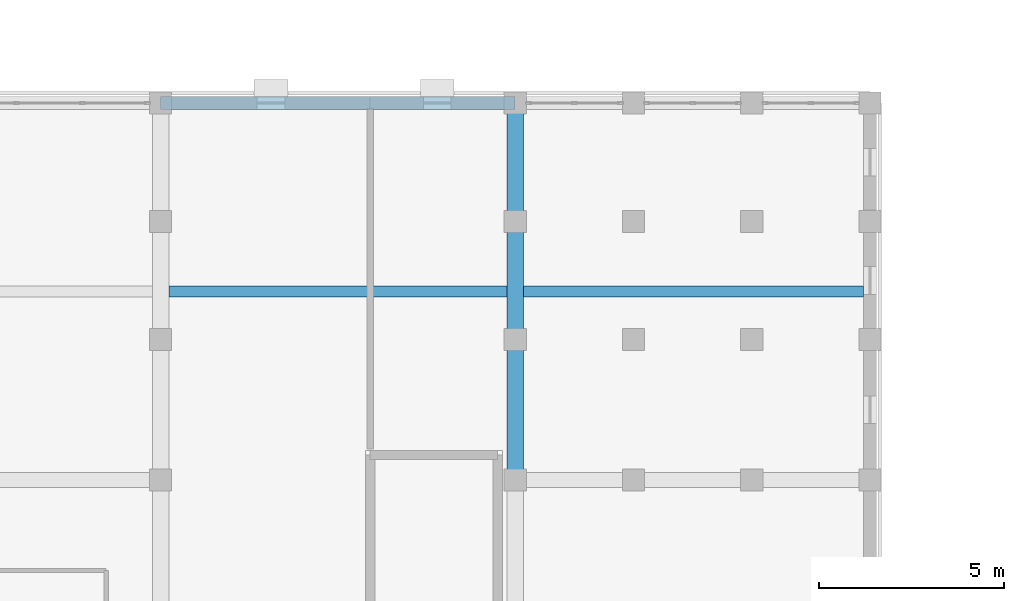
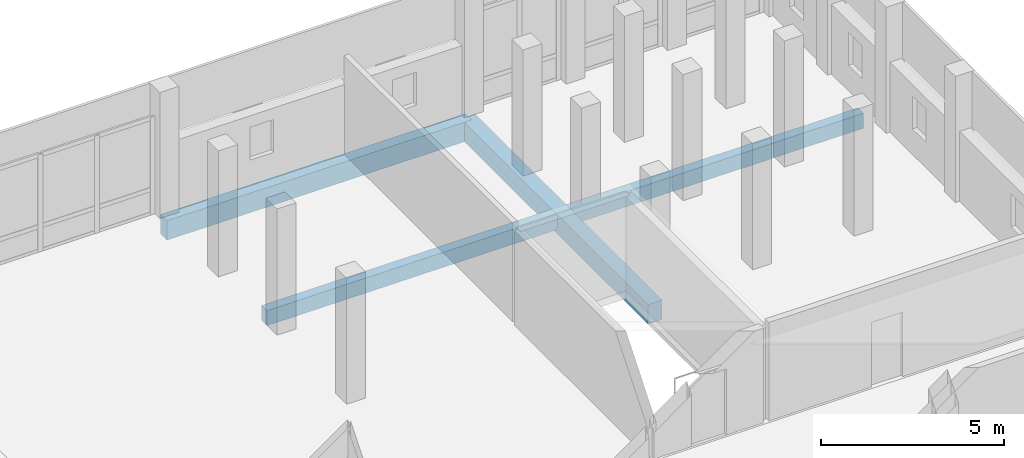
# One storey, part 23 of 93: 4 beams.
"""IFC4 building model written with IfcOpenShell, lengths in metres."""

from ifc_helpers import new_model, si_unit, direction, frame, origin, origin_2d, place, context, subcontext, project, spatial, rectangle, extrude, material, material_profile, profile_set, type_object, element, save


model = new_model("IFC4")

# Units and contexts
model_context = context("Model", 3, precision=1e-05, world=origin(), true_north=direction((0.0, 1.0)))
body_context = subcontext(model_context, "Body", "Model", "MODEL_VIEW")
ifc_project = project(units=[si_unit("LENGTHUNIT", "METRE"), si_unit("AREAUNIT", "SQUARE_METRE"), si_unit("VOLUMEUNIT", "CUBIC_METRE"), si_unit("PLANEANGLEUNIT", "RADIAN"), si_unit("MASSUNIT", "GRAM", prefix="KILO")], contexts=[model_context])

# Site, building, storey
site_placement = place(None, origin())
site = spatial("IfcSite", under=ifc_project, at=site_placement, CompositionType="ELEMENT")
building_placement = place(site_placement, origin())
building = spatial("IfcBuilding", under=site, at=building_placement, Name="Vondelvale Polytechnic", CompositionType="ELEMENT")
storey_placement = place(building_placement, frame((0.0, 0.0, 18.0)))
storey = spatial("IfcBuildingStorey", under=building, at=storey_placement, Name="L04", CompositionType="ELEMENT", Elevation=18.0)

# Beams
ifc_material_1 = material(Name="Concrete N40 (f'c = 40 MPa)", Category="concrete")
ifc_material_profile_1 = material_profile(ifc_material_1, rectangle(XDim=0.449951171875, YDim=0.64990234375, at=origin_2d()), Name="RC-BM-450x650")
ifc_profile_set_1 = profile_set([ifc_material_profile_1], Name="Concrete N40 (f'c = 40 MPa)")
beam_type_1 = type_object("IfcBeamType", Name="BM-RC450x650", PredefinedType="BEAM", material=ifc_profile_set_1)
beam_1_placement = place(storey_placement, frame((38.39990234375, 30.60009765625, -0.574951171875), z_axis=(0.0, 1.0, 0.0), x_axis=(-1.0, 0.0, 0.0)))
element("IfcBeam", 1, at=beam_1_placement, inside=storey, type_object=beam_type_1, Name="L04 B B-04", PredefinedType="BEAM", context=body_context, shape_type="SweptSolid", body=[
    extrude(rectangle(XDim=0.449951171875, YDim=0.64990234375, at=origin_2d()), origin(), (0.0, 0.0, 1.0), 10.199951171875),
])
ifc_material_profile_2 = material_profile(ifc_material_1, rectangle(XDim=0.300048828125, YDim=0.5, at=origin_2d()), Name="RC-JST-300x500")
ifc_profile_set_2 = profile_set([ifc_material_profile_2], Name="Concrete N40 (f'c = 40 MPa)")
beam_type_2 = type_object("IfcBeamType", Name="JST-RC300x500", PredefinedType="JOIST", material=ifc_profile_set_2)
beam_2_placement = place(storey_placement, frame((29.02490234375, 35.699951171875, -0.5), z_axis=(1.0, 0.0, 0.0), x_axis=(0.0, 1.0, 0.0)))
element("IfcBeam", 2, at=beam_2_placement, inside=storey, type_object=beam_type_2, Name="L04 J J-02", PredefinedType="JOIST", context=body_context, shape_type="SweptSolid", body=[
    extrude(rectangle(XDim=0.300048828125, YDim=0.5, at=origin_2d()), origin(), (0.0, 0.0, 1.0), 9.150146484375),
])
beam_3_placement = place(storey_placement, frame((38.625, 35.699951171875, -0.5), z_axis=(1.0, 0.0, 0.0), x_axis=(0.0, 1.0, 0.0)))
element("IfcBeam", 3, at=beam_3_placement, inside=storey, type_object=beam_type_2, Name="L04 J J-02", PredefinedType="JOIST", context=body_context, shape_type="SweptSolid", body=[
    extrude(rectangle(XDim=0.300048828125, YDim=0.5, at=origin_2d()), origin(), (0.0, 0.0, 1.0), 9.199951171875),
])
ifc_material_2 = material(Name="Precast concrete N40 (f'c = 40 MPa)", Category="concrete")
ifc_material_profile_3 = material_profile(ifc_material_2, rectangle(XDim=0.35009765625, YDim=0.64990234375, at=origin_2d()), Name="RC-SPN-350x650")
ifc_profile_set_3 = profile_set([ifc_material_profile_3], Name="Precast concrete N40 (f'c = 40 MPa)")
beam_type_3 = type_object("IfcBeamType", Name="SPN-PRE350x650", PredefinedType="SPANDREL", material=ifc_profile_set_3)
beam_4_placement = place(storey_placement, frame((28.800048828125, 40.800048828125, -0.574951171875), z_axis=(1.0, 0.0, 0.0), x_axis=(0.0, 1.0, 0.0)))
element("IfcBeam", 4, at=beam_4_placement, inside=storey, type_object=beam_type_3, Name="L04 B SP-02", PredefinedType="SPANDREL", context=body_context, shape_type="SweptSolid", body=[
    extrude(rectangle(XDim=0.35009765625, YDim=0.64990234375, at=origin_2d()), origin(), (0.0, 0.0, 1.0), 9.599853515625),
])

save(model, "model.ifc")
